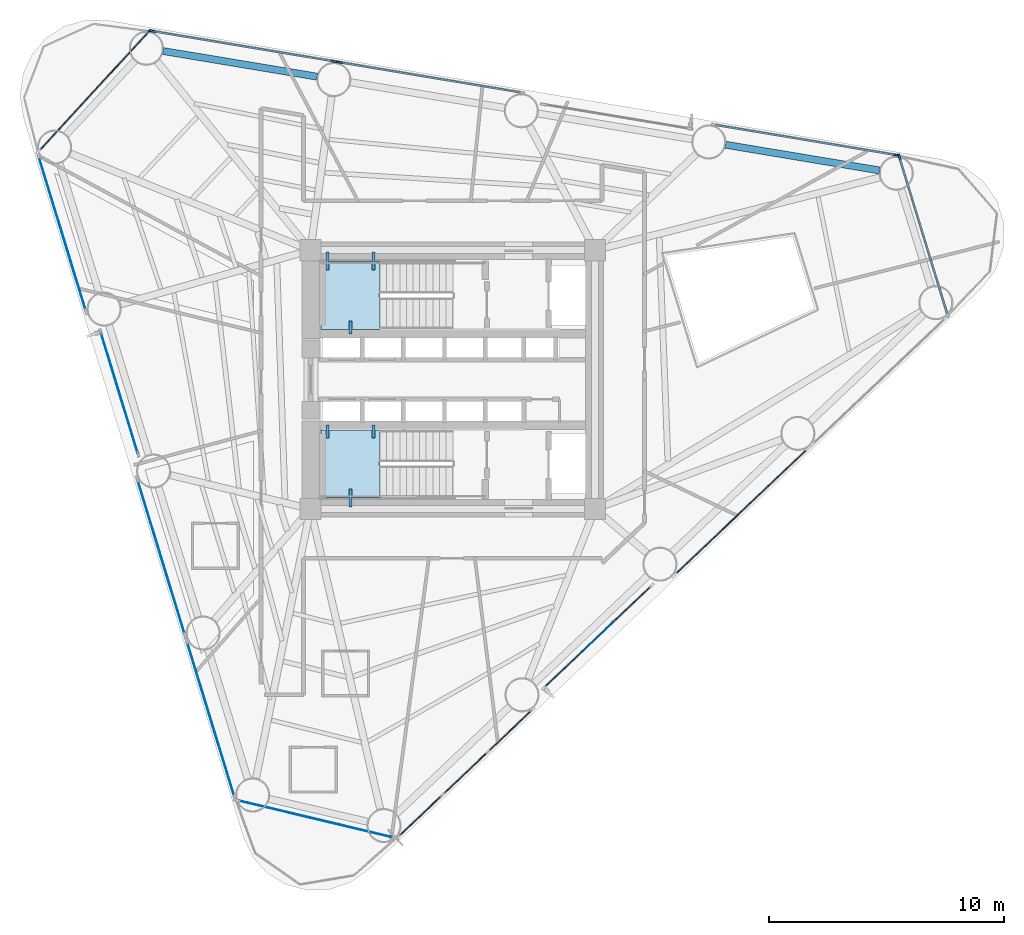
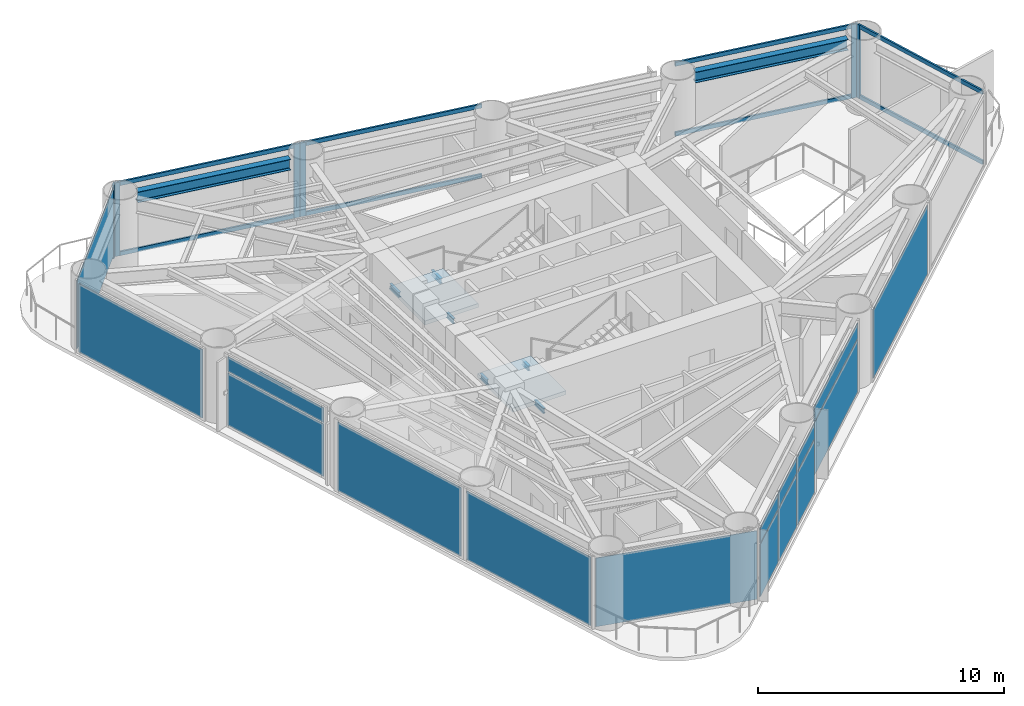
# One storey, part 4 of 10: 18 plates, 14 members, 8 beams, 2 slabs, 15 elements without a shape of their own.
"""IFC4 building model written with IfcOpenShell, lengths in metres."""

from ifc_helpers import new_model, si_unit, direction, frame, origin, origin_2d, place, context, subcontext, project, spatial, polyline, rectangle, i_section, outline, extrude, source, transform, mapped, material, layer, layer_set, material_profile, profile_set, type_object, element, aggregate, save


model = new_model("IFC4")

# Units and contexts
model_context = context("Model", 3, precision=1e-05, world=origin(), true_north=direction((0.0, 1.0)))
body_context = subcontext(model_context, "Body", "Model", "MODEL_VIEW")
ifc_project = project(units=[si_unit("LENGTHUNIT", "METRE"), si_unit("AREAUNIT", "SQUARE_METRE"), si_unit("VOLUMEUNIT", "CUBIC_METRE"), si_unit("PLANEANGLEUNIT", "RADIAN"), si_unit("MASSUNIT", "GRAM", prefix="KILO")], contexts=[model_context])

# Site, building, storey
site_placement = place(None, origin())
site = spatial("IfcSite", under=ifc_project, at=site_placement, CompositionType="ELEMENT")
building_placement = place(site_placement, origin())
building = spatial("IfcBuilding", under=site, at=building_placement, Name="Yunling Apex Tower", CompositionType="ELEMENT")
storey_placement = place(building_placement, frame((0.0, 0.0, 112.39990234375)))
storey = spatial("IfcBuildingStorey", under=building, at=storey_placement, Name="L28", CompositionType="ELEMENT", Elevation=112.39990234375)

# Beams
ifc_material_1 = material(Name="Steel Q355B", Category="steel")
ifc_material_profile_1 = material_profile(ifc_material_1, i_section(OverallWidth=0.125, OverallDepth=0.25, WebThickness=0.006103515625, FlangeThickness=0.009033203125, FilletRadius=0.011962890625, at=origin_2d()))
ifc_profile_set_1 = profile_set([ifc_material_profile_1], Name="Steel Q355B")
beam_type_1 = type_object("IfcBeamType", Name="BL-LNT-1", PredefinedType="LINTEL", material=ifc_profile_set_1)
shared_shape_1 = source(origin(), body_context, "Body", "SweptSolid", [
    extrude(i_section(OverallWidth=0.125, OverallDepth=0.25, WebThickness=0.006103515625, FlangeThickness=0.009033203125, FilletRadius=0.011962890625, at=origin_2d()), origin(), (0.0, 0.0, 1.0), 0.760009765625),
])
for number, where, z_axis, x_axis, name in (
    (1, (-5.320068359375, 5.419921875, 1.55517578125), (0.0, -1.0, 0.0), (1.0, 0.0, 0.0), "L28 ST-1 Landing Bearing Corbel 1-1"),
    (2, (-3.3701171875, 5.419921875, 1.55517578125), (0.0, -1.0, 0.0), (1.0, 0.0, 0.0), "L28 ST-1 Landing Bearing Corbel 1-2"),
    (3, (-4.344970703125, -5.419921875, 1.55517578125), (0.0, 1.0, 0.0), (-1.0, 0.0, 0.0), "L28 ST-2 Landing Bearing Corbel 1-3"),
):
    element("IfcBeam", number, at=place(storey_placement, frame(where, z_axis=z_axis, x_axis=x_axis)), inside=storey, type_object=beam_type_1, Name=name, PredefinedType="LINTEL", context=body_context, shape_type="MappedRepresentation", body=[
        mapped(shared_shape_1, transform((0.0, 0.0, 0.0), scale=1.0)),
    ])
shared_shape_2 = source(origin(), body_context, "Body", "SweptSolid", [
    extrude(i_section(OverallWidth=0.125, OverallDepth=0.25, WebThickness=0.006103515625, FlangeThickness=0.009033203125, FilletRadius=0.011962890625, at=origin_2d()), origin(), (0.0, 0.0, 1.0), 0.550048828125),
])
for number, where, z_axis, x_axis, name in (
    (4, (-4.344970703125, 1.93994140625, 1.55517578125), (0.0, 1.0, 0.0), (-1.0, 0.0, 0.0), "L28 ST-1 Landing Bearing Corbel 1-3"),
    (5, (-5.320068359375, -1.93994140625, 1.55517578125), (0.0, -1.0, 0.0), (1.0, 0.0, 0.0), "L28 ST-2 Landing Bearing Corbel 1-1"),
    (6, (-3.3701171875, -1.93994140625, 1.55517578125), (0.0, -1.0, 0.0), (1.0, 0.0, 0.0), "L28 ST-2 Landing Bearing Corbel 1-2"),
):
    element("IfcBeam", number, at=place(storey_placement, frame(where, z_axis=z_axis, x_axis=x_axis)), inside=storey, type_object=beam_type_1, Name=name, PredefinedType="LINTEL", context=body_context, shape_type="MappedRepresentation", body=[
        mapped(shared_shape_2, transform((0.0, 0.0, 0.0), scale=1.0)),
    ])
ifc_material_profile_2 = material_profile(ifc_material_1, i_section(OverallWidth=0.300048828125, OverallDepth=0.5400390625, WebThickness=0.011962890625, FlangeThickness=0.02001953125, FilletRadius=0.02392578125, at=origin_2d()))
ifc_profile_set_2 = profile_set([ifc_material_profile_2], Name="Steel Q355B")
beam_type_2 = type_object("IfcBeamType", Name="BP-SPN-1", PredefinedType="SPANDREL", material=ifc_profile_set_2)
shared_shape_3 = source(origin(), body_context, "Body", "SweptSolid", [
    extrude(i_section(OverallWidth=0.300048828125, OverallDepth=0.5400390625, WebThickness=0.011962890625, FlangeThickness=0.02001953125, FilletRadius=0.02392578125, at=origin_2d()), origin(), (0.0, 0.0, 1.0), 6.641845703125),
])
for number, where, z_axis, x_axis, name in (
    (7, (18.14599609375, 8.89111328125, 3.295166015625), (-0.986396904036, 0.164381105081, 0.0), (-0.164381105081, -0.986396904036, 0.0), "L28 Perimeter Spandrel Beam 6"),
    (8, (-5.763671875, 12.875244140625, 3.295166015625), (-0.986402863526, 0.164345340146, 0.0), (-0.164345340146, -0.986402863526, 0.0), "L28 Perimeter Spandrel Beam 9"),
):
    element("IfcBeam", number, at=place(storey_placement, frame(where, z_axis=z_axis, x_axis=x_axis)), inside=storey, type_object=beam_type_2, Name=name, PredefinedType="SPANDREL", context=body_context, shape_type="MappedRepresentation", body=[
        mapped(shared_shape_3, transform((0.0, 0.0, 0.0), scale=1.0)),
    ])

# Curtain wall, member
ifc_material_2 = material(Name="Bronze anodised aluminium", Category="aluminium")
ifc_layer_1 = layer(ifc_material_2, 0.260009765625)
ifc_layer_set_1 = layer_set([ifc_layer_1], Name="Bronze anodised aluminium")
curtain_wall_type = type_object("IfcCurtainWallType", Name="CW-SYS-2", PredefinedType="NOTDEFINED", material=ifc_layer_set_1)
curtain_wall_1_placement = place(storey_placement, origin())
curtain_wall_1 = element("IfcCurtainWall", 9, at=curtain_wall_1_placement, inside=storey, type_object=curtain_wall_type, Name="CW-L28-CRN1", PredefinedType="NOTDEFINED")
ifc_material_profile_3 = material_profile(ifc_material_2, rectangle(XDim=0.0849609375, YDim=0.260009765625, at=origin_2d()))
ifc_profile_set_3 = profile_set([ifc_material_profile_3], Name="Bronze anodised aluminium")
member_type_1 = type_object("IfcMemberType", Name="CW-MUL-2", PredefinedType="MULLION", material=ifc_profile_set_3)
shared_shape_4 = source(origin(), body_context, "Body", "SweptSolid", [
    extrude(rectangle(XDim=0.0849609375, YDim=0.260009765625, at=origin_2d()), origin(), (0.0, 0.0, 1.0), 3.664794921875),
])
member_1_placement = place(storey_placement, frame((18.9892578125, 9.46240234375, -0.0498046875), z_axis=(0.0, 0.0, 1.0), x_axis=(-0.95630374567, -0.292375009223, 0.0)))
member_1 = element("IfcMember", 10, at=member_1_placement, type_object=member_type_1, Name="CW-SYS-2 mullion 2", PredefinedType="MULLION", context=body_context, shape_type="MappedRepresentation", body=[
    mapped(shared_shape_4, transform((0.0, 0.0, 0.0), scale=1.0)),
])

curtain_wall_2_placement = place(storey_placement, origin())
curtain_wall_2 = element("IfcCurtainWall", 11, at=curtain_wall_2_placement, inside=storey, type_object=curtain_wall_type, Name="CW-L28-F2-B1", PredefinedType="NOTDEFINED")
member_2_placement = place(storey_placement, frame((18.859375, 9.54296875, -0.0498046875), z_axis=(0.0, 0.0, 1.0), x_axis=(-0.16436008369, -0.98640040698, 0.0)))
member_2 = element("IfcMember", 12, at=member_2_placement, type_object=member_type_1, Name="CW-SYS-2 mullion 1", PredefinedType="MULLION", context=body_context, shape_type="MappedRepresentation", body=[
    mapped(shared_shape_4, transform((0.0, 0.0, 0.0), scale=1.0)),
])

curtain_wall_3_placement = place(storey_placement, origin())
curtain_wall_3 = element("IfcCurtainWall", 13, at=curtain_wall_3_placement, inside=storey, type_object=curtain_wall_type, Name="CW-L28-F2-B3", PredefinedType="NOTDEFINED")
member_3_placement = place(storey_placement, frame((-4.80859375, 13.486572265625, -0.0498046875), z_axis=(0.0, 0.0, 1.0), x_axis=(-0.164362130784, -0.986400065878, 0.0)))
member_3 = element("IfcMember", 14, at=member_3_placement, type_object=member_type_1, Name="CW-SYS-2 mullion 2", PredefinedType="MULLION", context=body_context, shape_type="MappedRepresentation", body=[
    mapped(shared_shape_4, transform((0.0, 0.0, 0.0), scale=1.0)),
])

# Curtain wall, members
curtain_wall_4_placement = place(storey_placement, origin())
curtain_wall_4 = element("IfcCurtainWall", 15, at=curtain_wall_4_placement, inside=storey, type_object=curtain_wall_type, Name="CW-L28-F2-B4", PredefinedType="NOTDEFINED")
member_4_placement = place(storey_placement, frame((-5.05029296875, 13.52685546875, -0.0498046875), z_axis=(0.0, 0.0, 1.0), x_axis=(-0.16436008369, -0.98640040698, 0.0)))
member_4 = element("IfcMember", 16, at=member_4_placement, type_object=member_type_1, Name="CW-SYS-2 mullion 1", PredefinedType="MULLION", context=body_context, shape_type="MappedRepresentation", body=[
    mapped(shared_shape_4, transform((0.0, 0.0, 0.0), scale=1.0)),
])
member_5_placement = place(storey_placement, frame((-12.778564453125, 14.814697265625, -0.0498046875), z_axis=(0.0, 0.0, 1.0), x_axis=(-0.16436008369, -0.98640040698, 0.0)))
member_5 = element("IfcMember", 17, at=member_5_placement, type_object=member_type_1, Name="CW-SYS-2 mullion 2", PredefinedType="MULLION", context=body_context, shape_type="MappedRepresentation", body=[
    mapped(shared_shape_4, transform((0.0, 0.0, 0.0), scale=1.0)),
])

# Curtain wall, member
curtain_wall_5_placement = place(storey_placement, origin())
curtain_wall_5 = element("IfcCurtainWall", 18, at=curtain_wall_5_placement, inside=storey, type_object=curtain_wall_type, Name="CW-L28-CRN2", PredefinedType="NOTDEFINED")
member_6_placement = place(storey_placement, frame((-12.931396484375, 14.78369140625, -0.0498046875), z_axis=(0.0, 0.0, 1.0), x_axis=(0.736184624933, -0.676780760669, 0.0)))
member_6 = element("IfcMember", 19, at=member_6_placement, type_object=member_type_1, Name="CW-SYS-2 mullion 1", PredefinedType="MULLION", context=body_context, shape_type="MappedRepresentation", body=[
    mapped(shared_shape_4, transform((0.0, 0.0, 0.0), scale=1.0)),
])

# Member
ifc_material_profile_4 = material_profile(ifc_material_2, rectangle(XDim=0.0849609375, YDim=0.199951171875, at=origin_2d()))
ifc_profile_set_4 = profile_set([ifc_material_profile_4], Name="Bronze anodised aluminium")
member_type_2 = type_object("IfcMemberType", Name="CW-TRN-2", PredefinedType="USERDEFINED", material=ifc_profile_set_4)
shared_shape_5 = source(origin(), body_context, "Body", "SweptSolid", [
    extrude(rectangle(XDim=0.0849609375, YDim=0.199951171875, at=origin_2d()), origin(), (0.0, 0.0, 1.0), 7.75830078125),
])
member_7_placement = place(storey_placement, frame((18.821533203125, 9.549072265625, 0.04248046875), z_axis=(-0.986400726912, 0.164358163615, 0.0), x_axis=(-0.164358163615, -0.986400726912, 0.0)))
member_7 = element("IfcMember", 20, at=member_7_placement, type_object=member_type_2, Name="CW-SYS-2 transom 1.1", ObjectType="TRANSOM", PredefinedType="USERDEFINED", context=body_context, shape_type="MappedRepresentation", body=[
    mapped(shared_shape_5, transform((0.0, 0.0, 0.0), scale=1.0)),
])

member_8_placement = place(storey_placement, frame((18.821533203125, 9.549072265625, 3.522705078125), z_axis=(-0.986400726912, 0.164358163615, 0.0), x_axis=(-0.164358163615, -0.986400726912, 0.0)))
member_8 = element("IfcMember", 21, at=member_8_placement, type_object=member_type_2, Name="CW-SYS-2 transom 1.2", ObjectType="TRANSOM", PredefinedType="USERDEFINED", context=body_context, shape_type="MappedRepresentation", body=[
    mapped(shared_shape_5, transform((0.0, 0.0, 0.0), scale=1.0)),
])

aggregate(curtain_wall_2, [member_2, member_7, member_8])

member_9_placement = place(storey_placement, frame((2.8818359375, 12.205078125, 0.04248046875), z_axis=(-0.986400726912, 0.164358163615, 0.0), x_axis=(-0.164358163615, -0.986400726912, 0.0)))
member_9 = element("IfcMember", 22, at=member_9_placement, type_object=member_type_2, Name="CW-SYS-2 transom 1.1", ObjectType="TRANSOM", PredefinedType="USERDEFINED", context=body_context, shape_type="MappedRepresentation", body=[
    mapped(shared_shape_5, transform((0.0, 0.0, 0.0), scale=1.0)),
])

member_10_placement = place(storey_placement, frame((2.8818359375, 12.205078125, 3.522705078125), z_axis=(-0.986400726912, 0.164358163615, 0.0), x_axis=(-0.164358163615, -0.986400726912, 0.0)))
member_10 = element("IfcMember", 23, at=member_10_placement, type_object=member_type_2, Name="CW-SYS-2 transom 1.2", ObjectType="TRANSOM", PredefinedType="USERDEFINED", context=body_context, shape_type="MappedRepresentation", body=[
    mapped(shared_shape_5, transform((0.0, 0.0, 0.0), scale=1.0)),
])

aggregate(curtain_wall_3, [member_3, member_9, member_10])

member_11_placement = place(storey_placement, frame((-5.088134765625, 13.533203125, 0.04248046875), z_axis=(-0.986400726912, 0.164358163615, 0.0), x_axis=(-0.164358163615, -0.986400726912, 0.0)))
member_11 = element("IfcMember", 24, at=member_11_placement, type_object=member_type_2, Name="CW-SYS-2 transom 1.1", ObjectType="TRANSOM", PredefinedType="USERDEFINED", context=body_context, shape_type="MappedRepresentation", body=[
    mapped(shared_shape_5, transform((0.0, 0.0, 0.0), scale=1.0)),
])

member_12_placement = place(storey_placement, frame((-5.088134765625, 13.533203125, 3.522705078125), z_axis=(-0.986400726912, 0.164358163615, 0.0), x_axis=(-0.164358163615, -0.986400726912, 0.0)))
member_12 = element("IfcMember", 25, at=member_12_placement, type_object=member_type_2, Name="CW-SYS-2 transom 1.2", ObjectType="TRANSOM", PredefinedType="USERDEFINED", context=body_context, shape_type="MappedRepresentation", body=[
    mapped(shared_shape_5, transform((0.0, 0.0, 0.0), scale=1.0)),
])

aggregate(curtain_wall_4, [member_4, member_5, member_11, member_12])

shared_shape_6 = source(origin(), body_context, "Body", "SweptSolid", [
    extrude(rectangle(XDim=0.0849609375, YDim=0.199951171875, at=origin_2d()), origin(), (0.0, 0.0, 1.0), 6.91748046875),
])
member_13_placement = place(storey_placement, frame((21.02294921875, 2.810546875, 0.04248046875), z_axis=(-0.292369169584, 0.956305531029, 0.0), x_axis=(-0.956305531029, -0.292369169584, 0.0)))
member_13 = element("IfcMember", 26, at=member_13_placement, type_object=member_type_2, Name="CW-SYS-2 transom 1.1", ObjectType="TRANSOM", PredefinedType="USERDEFINED", context=body_context, shape_type="MappedRepresentation", body=[
    mapped(shared_shape_6, transform((0.0, 0.0, 0.0), scale=1.0)),
])

member_14_placement = place(storey_placement, frame((21.02294921875, 2.810546875, 3.522705078125), z_axis=(-0.292369169584, 0.956305531029, 0.0), x_axis=(-0.956305531029, -0.292369169584, 0.0)))
member_14 = element("IfcMember", 27, at=member_14_placement, type_object=member_type_2, Name="CW-SYS-2 transom 1.2", ObjectType="TRANSOM", PredefinedType="USERDEFINED", context=body_context, shape_type="MappedRepresentation", body=[
    mapped(shared_shape_6, transform((0.0, 0.0, 0.0), scale=1.0)),
])

aggregate(curtain_wall_1, [member_1, member_13, member_14])

# Stair, slab
ifc_material_3 = material(Name="Concrete C40", Category="concrete")
stair_type = type_object("IfcStairType", Name="ST-TWR-1", PredefinedType="HALF_TURN_STAIR", material=ifc_material_3)
stair_1_placement = place(storey_placement, origin())
stair_1 = element("IfcStair", 28, at=stair_1_placement, inside=storey, type_object=stair_type, Name="L28 North Core Smokeproof Exit Stair ST-1", PredefinedType="HALF_TURN_STAIR")
ifc_layer_2 = layer(ifc_material_3, 0.195068359375)
ifc_layer_set_2 = layer_set([ifc_layer_2], Name="Concrete C40")
slab_type = type_object("IfcSlabType", Name="SL-LND-1", PredefinedType="LANDING", material=ifc_layer_set_2)
slab_1_placement = place(storey_placement, frame((0.0, 0.0, 1.68017578125)))
slab_1 = element("IfcSlab", 29, at=slab_1_placement, type_object=slab_type, Name="ST-1 landing 1", PredefinedType="LANDING", context=body_context, shape_type="SweptSolid", body=[
    extrude(outline(polyline([(-3.090087890625, 5.010009765625), (-5.60009765625, 5.010009765625), (-5.60009765625, 2.139892578125), (-3.090087890625, 2.139892578125), (-3.090087890625, 5.010009765625)])), origin(), (0.0, 0.0, 1.0), 0.19482421875),
])
aggregate(stair_1, [slab_1])

stair_2_placement = place(storey_placement, origin())
stair_2 = element("IfcStair", 30, at=stair_2_placement, inside=storey, type_object=stair_type, Name="L28 South Core Smokeproof Exit Stair ST-2", PredefinedType="HALF_TURN_STAIR")
slab_2_placement = place(storey_placement, frame((0.0, 0.0, 1.68017578125)))
slab_2 = element("IfcSlab", 31, at=slab_2_placement, type_object=slab_type, Name="ST-2 landing 1", PredefinedType="LANDING", context=body_context, shape_type="SweptSolid", body=[
    extrude(outline(polyline([(-3.090087890625, -2.139892578125), (-5.60009765625, -2.139892578125), (-5.60009765625, -5.010009765625), (-3.090087890625, -5.010009765625), (-3.090087890625, -2.139892578125)])), origin(), (0.0, 0.0, 1.0), 0.19482421875),
])
aggregate(stair_2, [slab_2])

# Plates
ifc_layer_3 = layer(ifc_material_2, 0.011962890625)
ifc_layer_set_3 = layer_set([ifc_layer_3], Name="Bronze anodised aluminium")
plate_type_1 = type_object("IfcPlateType", Name="SP-SHT-1", PredefinedType="SHEET", material=ifc_layer_set_3)
shared_shape_7 = source(origin(), body_context, "Body", "SweptSolid", [
    extrude(rectangle(XDim=1.800048828125, YDim=0.02392578125, at=origin_2d()), origin(), (0.0, 0.0, 1.0), 0.43994140625),
])
for number, where, z_axis, x_axis, name in (
    (32, (6.16455078125, -10.928466796875, 3.1650390625), (0.0, 0.0, 1.0), (0.725854756355, 0.687848001144, 0.0), "SP-GRV-L28-F1"),
    (33, (-14.17138671875, -0.56787109375, 3.1650390625), (0.0, 0.0, 1.0), (0.292371704723, -0.956304755963, 0.0), "SP-GRV-L28-F3"),
):
    element("IfcPlate", number, at=place(storey_placement, frame(where, z_axis=z_axis, x_axis=x_axis)), inside=storey, type_object=plate_type_1, Name=name, PredefinedType="SHEET", context=body_context, shape_type="MappedRepresentation", body=[
        mapped(shared_shape_7, transform((0.0, 0.0, 0.0), scale=1.0)),
    ])

# Curtain wall, plates
curtain_wall_6_placement = place(storey_placement, origin())
curtain_wall_6 = element("IfcCurtainWall", 34, at=curtain_wall_6_placement, inside=storey, type_object=curtain_wall_type, Name="CW-L28-F1-B1", PredefinedType="NOTDEFINED")
ifc_material_4 = material(Name="Bronze tinted low-E glass", Category="glass")
ifc_layer_4 = layer(ifc_material_4, 0.033935546875)
ifc_layer_set_4 = layer_set([ifc_layer_4], Name="Bronze tinted low-E glass")
plate_type_2 = type_object("IfcPlateType", Name="CW-PNL-2", PredefinedType="CURTAIN_PANEL", material=ifc_layer_set_4)
shared_shape_8 = source(origin(), body_context, "Body", "SweptSolid", [
    extrude(rectangle(XDim=2.52880859375, YDim=0.033935546875, at=origin_2d()), origin(), (0.0, 0.0, 1.0), 2.60400390625),
])
plate_1_placement = place(storey_placement, frame((-1.366943359375, -18.5341796875, 0.076904296875), z_axis=(0.0, 0.0, 1.0), x_axis=(0.72584218686, 0.687861264918, 0.0)))
plate_1 = element("IfcPlate", 35, at=plate_1_placement, type_object=plate_type_2, Name="CW-SYS-2 panel 1.1", PredefinedType="CURTAIN_PANEL", context=body_context, shape_type="MappedRepresentation", body=[
    mapped(shared_shape_8, transform((0.0, 0.0, 0.0), scale=1.0)),
])
plate_2_placement = place(storey_placement, frame((2.4345703125, -14.931640625, 0.076904296875), z_axis=(0.0, 0.0, 1.0), x_axis=(0.72584218686, 0.687861264918, 0.0)))
plate_2 = element("IfcPlate", 36, at=plate_2_placement, type_object=plate_type_2, Name="CW-SYS-2 panel 3.1", PredefinedType="CURTAIN_PANEL", context=body_context, shape_type="MappedRepresentation", body=[
    mapped(shared_shape_8, transform((0.0, 0.0, 0.0), scale=1.0)),
])
shared_shape_9 = source(origin(), body_context, "Body", "SweptSolid", [
    extrude(rectangle(XDim=2.52880859375, YDim=0.033935546875, at=origin_2d()), origin(), (0.0, 0.0, 1.0), 0.739013671875),
])
plate_3_placement = place(storey_placement, frame((-1.366943359375, -18.5341796875, 2.74951171875), z_axis=(0.0, 0.0, 1.0), x_axis=(0.72584218686, 0.687861264918, 0.0)))
plate_3 = element("IfcPlate", 37, at=plate_3_placement, type_object=plate_type_2, Name="CW-SYS-2 panel 1.2", PredefinedType="CURTAIN_PANEL", context=body_context, shape_type="MappedRepresentation", body=[
    mapped(shared_shape_9, transform((0.0, 0.0, 0.0), scale=1.0)),
])
plate_4_placement = place(storey_placement, frame((2.4345703125, -14.931640625, 2.74951171875), z_axis=(0.0, 0.0, 1.0), x_axis=(0.72584218686, 0.687861264918, 0.0)))
plate_4 = element("IfcPlate", 38, at=plate_4_placement, type_object=plate_type_2, Name="CW-SYS-2 panel 3.2", PredefinedType="CURTAIN_PANEL", context=body_context, shape_type="MappedRepresentation", body=[
    mapped(shared_shape_9, transform((0.0, 0.0, 0.0), scale=1.0)),
])
shared_shape_10 = source(origin(), body_context, "Body", "SweptSolid", [
    extrude(rectangle(XDim=2.571533203125, YDim=0.033935546875, at=origin_2d()), origin(), (0.0, 0.0, 1.0), 2.60400390625),
])
plate_5_placement = place(storey_placement, frame((0.53369140625, -16.73291015625, 0.076904296875), z_axis=(0.0, 0.0, 1.0), x_axis=(0.72584218686, 0.687861264918, 0.0)))
plate_5 = element("IfcPlate", 39, at=plate_5_placement, type_object=plate_type_2, Name="CW-SYS-2 panel 2.1", PredefinedType="CURTAIN_PANEL", context=body_context, shape_type="MappedRepresentation", body=[
    mapped(shared_shape_10, transform((0.0, 0.0, 0.0), scale=1.0)),
])
shared_shape_11 = source(origin(), body_context, "Body", "SweptSolid", [
    extrude(rectangle(XDim=2.571533203125, YDim=0.033935546875, at=origin_2d()), origin(), (0.0, 0.0, 1.0), 0.739013671875),
])
plate_6_placement = place(storey_placement, frame((0.53369140625, -16.73291015625, 2.74951171875), z_axis=(0.0, 0.0, 1.0), x_axis=(0.72584218686, 0.687861264918, 0.0)))
plate_6 = element("IfcPlate", 40, at=plate_6_placement, type_object=plate_type_2, Name="CW-SYS-2 panel 2.2", PredefinedType="CURTAIN_PANEL", context=body_context, shape_type="MappedRepresentation", body=[
    mapped(shared_shape_11, transform((0.0, 0.0, 0.0), scale=1.0)),
])
aggregate(curtain_wall_6, [plate_1, plate_3, plate_5, plate_6, plate_2, plate_4])

curtain_wall_7_placement = place(storey_placement, origin())
curtain_wall_7 = element("IfcCurtainWall", 41, at=curtain_wall_7_placement, inside=storey, type_object=curtain_wall_type, Name="CW-L28-F1-B2", PredefinedType="NOTDEFINED")
shared_shape_12 = source(origin(), body_context, "Body", "SweptSolid", [
    extrude(rectangle(XDim=6.236328125, YDim=0.033935546875, at=origin_2d()), origin(), (0.0, 0.0, 1.0), 2.60400390625),
])
plate_7_placement = place(storey_placement, frame((6.16455078125, -10.928466796875, 0.076904296875), z_axis=(0.0, 0.0, 1.0), x_axis=(0.725858092234, 0.687844480924, 0.0)))
plate_7 = element("IfcPlate", 42, at=plate_7_placement, type_object=plate_type_2, Name="CW-SYS-2 panel 1.1", PredefinedType="CURTAIN_PANEL", context=body_context, shape_type="MappedRepresentation", body=[
    mapped(shared_shape_12, transform((0.0, 0.0, 0.0), scale=1.0)),
])
shared_shape_13 = source(origin(), body_context, "Body", "SweptSolid", [
    extrude(rectangle(XDim=6.236328125, YDim=0.033935546875, at=origin_2d()), origin(), (0.0, 0.0, 1.0), 0.739013671875),
])
plate_8_placement = place(storey_placement, frame((6.16455078125, -10.928466796875, 2.74951171875), z_axis=(0.0, 0.0, 1.0), x_axis=(0.725858092234, 0.687844480924, 0.0)))
plate_8 = element("IfcPlate", 43, at=plate_8_placement, type_object=plate_type_2, Name="CW-SYS-2 panel 1.2", PredefinedType="CURTAIN_PANEL", context=body_context, shape_type="MappedRepresentation", body=[
    mapped(shared_shape_13, transform((0.0, 0.0, 0.0), scale=1.0)),
])
aggregate(curtain_wall_7, [plate_7, plate_8])

# Curtain wall, plate
curtain_wall_8_placement = place(storey_placement, origin())
curtain_wall_8 = element("IfcCurtainWall", 44, at=curtain_wall_8_placement, inside=storey, type_object=curtain_wall_type, Name="CW-L28-F1-B3", PredefinedType="NOTDEFINED")
shared_shape_14 = source(origin(), body_context, "Body", "SweptSolid", [
    extrude(rectangle(XDim=7.766357421875, YDim=0.033935546875, at=origin_2d()), origin(), (0.0, 0.0, 1.0), 3.41162109375),
])
plate_9_placement = place(storey_placement, frame((12.26318359375, -5.61767578125, 0.076904296875), z_axis=(0.0, 0.0, 1.0), x_axis=(0.72584218686, 0.687861264918, 0.0)))
plate_9 = element("IfcPlate", 45, at=plate_9_placement, type_object=plate_type_2, Name="CW-SYS-2 panel 1.1", PredefinedType="CURTAIN_PANEL", context=body_context, shape_type="MappedRepresentation", body=[
    mapped(shared_shape_14, transform((0.0, 0.0, 0.0), scale=1.0)),
])
aggregate(curtain_wall_8, [plate_9])

# Plate
shared_shape_15 = source(origin(), body_context, "Body", "SweptSolid", [
    extrude(rectangle(XDim=6.83935546875, YDim=0.033935546875, at=origin_2d()), origin(), (0.0, 0.0, 1.0), 3.41162109375),
])
plate_10_placement = place(storey_placement, frame((-15.26904296875, 12.240966796875, 0.076904296875), z_axis=(0.0, 0.0, 1.0), x_axis=(-0.676780760669, -0.736184624933, 0.0)))
plate_10 = element("IfcPlate", 46, at=plate_10_placement, type_object=plate_type_2, Name="CW-SYS-2 panel 1.1", PredefinedType="CURTAIN_PANEL", context=body_context, shape_type="MappedRepresentation", body=[
    mapped(shared_shape_15, transform((0.0, 0.0, 0.0), scale=1.0)),
])

aggregate(curtain_wall_5, [member_6, plate_10])

# Curtain wall, plate
curtain_wall_9_placement = place(storey_placement, origin())
curtain_wall_9 = element("IfcCurtainWall", 47, at=curtain_wall_9_placement, inside=storey, type_object=curtain_wall_type, Name="CW-L28-CRN3", PredefinedType="NOTDEFINED")
plate_11_placement = place(storey_placement, frame((-5.8134765625, -18.6865234375, 0.076904296875), z_axis=(0.0, 0.0, 1.0), x_axis=(0.972740811528, -0.23189504865, 0.0)))
plate_11 = element("IfcPlate", 48, at=plate_11_placement, type_object=plate_type_2, Name="CW-SYS-2 panel 1.1", PredefinedType="CURTAIN_PANEL", context=body_context, shape_type="MappedRepresentation", body=[
    mapped(shared_shape_15, transform((0.0, 0.0, 0.0), scale=1.0)),
])
aggregate(curtain_wall_9, [plate_11])

curtain_wall_10_placement = place(storey_placement, origin())
curtain_wall_10 = element("IfcCurtainWall", 49, at=curtain_wall_10_placement, inside=storey, type_object=curtain_wall_type, Name="CW-L28-F3-B1", PredefinedType="NOTDEFINED")
shared_shape_16 = source(origin(), body_context, "Body", "SweptSolid", [
    extrude(rectangle(XDim=6.88671875, YDim=0.033935546875, at=origin_2d()), origin(), (0.0, 0.0, 1.0), 3.41162109375),
])
plate_12_placement = place(storey_placement, frame((-16.601806640625, 6.21826171875, 0.076904296875), z_axis=(0.0, 0.0, 1.0), x_axis=(0.292372619321, -0.956304476342, 0.0)))
plate_12 = element("IfcPlate", 50, at=plate_12_placement, type_object=plate_type_2, Name="CW-SYS-2 panel 1.1", PredefinedType="CURTAIN_PANEL", context=body_context, shape_type="MappedRepresentation", body=[
    mapped(shared_shape_16, transform((0.0, 0.0, 0.0), scale=1.0)),
])
aggregate(curtain_wall_10, [plate_12])

curtain_wall_11_placement = place(storey_placement, origin())
curtain_wall_11 = element("IfcCurtainWall", 51, at=curtain_wall_11_placement, inside=storey, type_object=curtain_wall_type, Name="CW-L28-F3-B3", PredefinedType="NOTDEFINED")
plate_13_placement = place(storey_placement, frame((-12.3916015625, -7.552978515625, 0.076904296875), z_axis=(0.0, 0.0, 1.0), x_axis=(0.292372619321, -0.956304476342, 0.0)))
plate_13 = element("IfcPlate", 52, at=plate_13_placement, type_object=plate_type_2, Name="CW-SYS-2 panel 1.1", PredefinedType="CURTAIN_PANEL", context=body_context, shape_type="MappedRepresentation", body=[
    mapped(shared_shape_16, transform((0.0, 0.0, 0.0), scale=1.0)),
])
aggregate(curtain_wall_11, [plate_13])

curtain_wall_12_placement = place(storey_placement, origin())
curtain_wall_12 = element("IfcCurtainWall", 53, at=curtain_wall_12_placement, inside=storey, type_object=curtain_wall_type, Name="CW-L28-F3-B4", PredefinedType="NOTDEFINED")
plate_14_placement = place(storey_placement, frame((-10.286376953125, -14.438720703125, 0.076904296875), z_axis=(0.0, 0.0, 1.0), x_axis=(0.292372619321, -0.956304476342, 0.0)))
plate_14 = element("IfcPlate", 54, at=plate_14_placement, type_object=plate_type_2, Name="CW-SYS-2 panel 1.1", PredefinedType="CURTAIN_PANEL", context=body_context, shape_type="MappedRepresentation", body=[
    mapped(shared_shape_16, transform((0.0, 0.0, 0.0), scale=1.0)),
])
aggregate(curtain_wall_12, [plate_14])

# Curtain wall, plates
curtain_wall_13_placement = place(storey_placement, origin())
curtain_wall_13 = element("IfcCurtainWall", 55, at=curtain_wall_13_placement, inside=storey, type_object=curtain_wall_type, Name="CW-L28-F3-B2", PredefinedType="NOTDEFINED")
shared_shape_17 = source(origin(), body_context, "Body", "SweptSolid", [
    extrude(rectangle(XDim=5.356689453125, YDim=0.033935546875, at=origin_2d()), origin(), (0.0, 0.0, 1.0), 2.60400390625),
])
plate_15_placement = place(storey_placement, frame((-14.17138671875, -0.56787109375, 0.076904296875), z_axis=(0.0, 0.0, 1.0), x_axis=(0.292363767199, -0.956307182672, 0.0)))
plate_15 = element("IfcPlate", 56, at=plate_15_placement, type_object=plate_type_2, Name="CW-SYS-2 panel 1.1", PredefinedType="CURTAIN_PANEL", context=body_context, shape_type="MappedRepresentation", body=[
    mapped(shared_shape_17, transform((0.0, 0.0, 0.0), scale=1.0)),
])
shared_shape_18 = source(origin(), body_context, "Body", "SweptSolid", [
    extrude(rectangle(XDim=5.356689453125, YDim=0.033935546875, at=origin_2d()), origin(), (0.0, 0.0, 1.0), 0.739013671875),
])
plate_16_placement = place(storey_placement, frame((-14.17138671875, -0.56787109375, 2.74951171875), z_axis=(0.0, 0.0, 1.0), x_axis=(0.292363767199, -0.956307182672, 0.0)))
plate_16 = element("IfcPlate", 57, at=plate_16_placement, type_object=plate_type_2, Name="CW-SYS-2 panel 1.2", PredefinedType="CURTAIN_PANEL", context=body_context, shape_type="MappedRepresentation", body=[
    mapped(shared_shape_18, transform((0.0, 0.0, 0.0), scale=1.0)),
])
aggregate(curtain_wall_13, [plate_15, plate_16])

save(model, "model.ifc")
